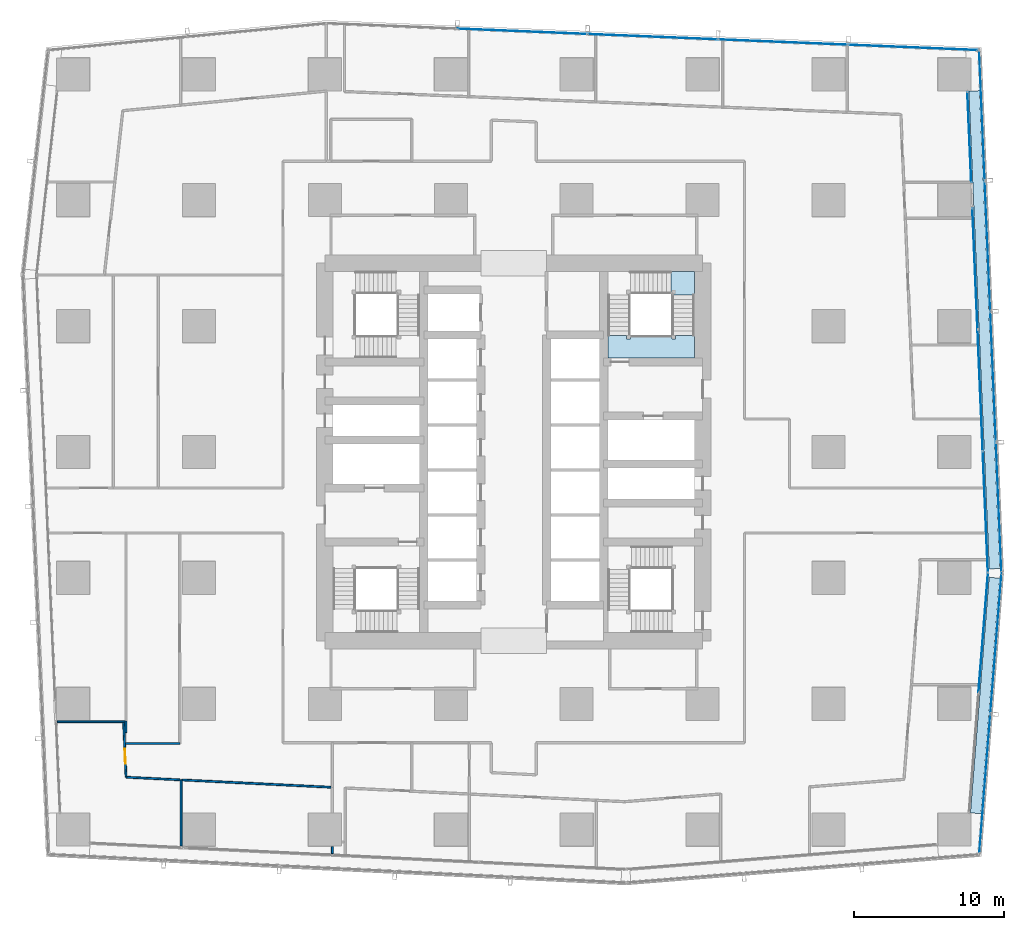
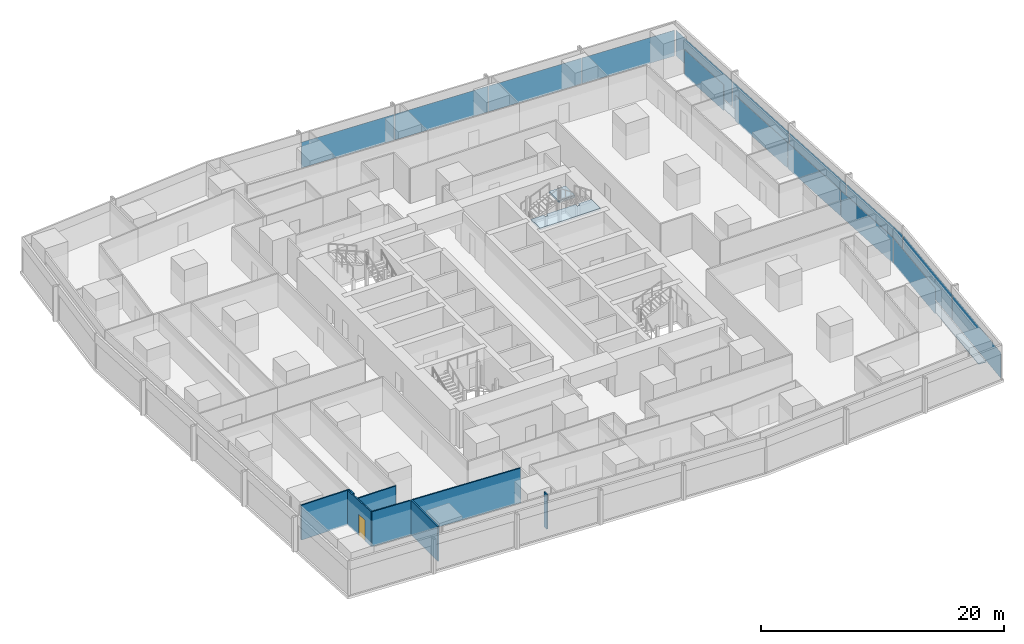
# One storey, part 31 of 45: 17 plates, 8 walls, 2 slabs, 1 door, 1 opening, 7 elements without a shape of their own.
"""IFC4 building model written with IfcOpenShell, lengths in metres."""

from ifc_helpers import new_model, si_unit, direction, frame, frame_2d, origin, origin_2d, place, context, subcontext, project, spatial, polyline, rectangle, outline, extrude, material, layer, layer_set, type_object, element, fill, aggregate, save


model = new_model("IFC4")

# Units and contexts
model_context = context("Model", 3, precision=1e-05, world=origin(), true_north=direction((0.0, 1.0)))
body_context = subcontext(model_context, "Body", "Model", "MODEL_VIEW")
ifc_project = project(units=[si_unit("LENGTHUNIT", "METRE"), si_unit("AREAUNIT", "SQUARE_METRE"), si_unit("VOLUMEUNIT", "CUBIC_METRE"), si_unit("PLANEANGLEUNIT", "RADIAN"), si_unit("MASSUNIT", "GRAM", prefix="KILO")], contexts=[model_context])

# Site, building, storey
site_placement = place(None, origin())
site = spatial("IfcSite", under=ifc_project, at=site_placement, CompositionType="ELEMENT")
building_placement = place(site_placement, origin())
building = spatial("IfcBuilding", under=site, at=building_placement, Name="Rekha Terrace Tower", CompositionType="ELEMENT")
storey_placement = place(building_placement, frame((0.0, 0.0, 32.89990234375)))
storey = spatial("IfcBuildingStorey", under=building, at=storey_placement, Name="L07", CompositionType="ELEMENT", Elevation=32.89990234375)

# Curtain wall, plate
ifc_material_1 = material(Name="Aluminium framing", Category="aluminium")
curtain_wall_type_1 = type_object("IfcCurtainWallType", Name="CW1 double skin inner glazing", PredefinedType="USERDEFINED", material=ifc_material_1)
curtain_wall_1_placement = place(storey_placement, origin())
curtain_wall_1 = element("IfcCurtainWall", 1, at=curtain_wall_1_placement, inside=storey, type_object=curtain_wall_type_1, Name="CW1 double skin inner glazing", ObjectType="DOUBLE SKIN INNER GLAZING", PredefinedType="USERDEFINED")
ifc_material_2 = material(Name="Double-glazed low-e unit 32", Category="glass")
ifc_layer_1 = layer(ifc_material_2, 0.031982421875)
ifc_layer_set_1 = layer_set([ifc_layer_1], Name="Double-glazed low-e unit 32")
plate_type_1 = type_object("IfcPlateType", Name="CW1 jumbo vision panel, double-glazed low-e unit 32", PredefinedType="CURTAIN_PANEL", material=ifc_layer_set_1)
plate_1_placement = place(storey_placement, frame((69.1220703125, 21.53759765625, 0.0), z_axis=(0.0, 0.0, 1.0), x_axis=(0.079116301, 0.996865392576, 0.0)))
plate_1 = element("IfcPlate", 2, at=plate_1_placement, type_object=plate_type_1, Name="CW1 panel 2.1", PredefinedType="CURTAIN_PANEL", context=body_context, shape_type="SweptSolid", body=[
    extrude(rectangle(XDim=7.988525390625, YDim=0.031982421875, at=origin_2d()), origin(), (0.0, 0.0, 1.0), 2.60009765625),
])
aggregate(curtain_wall_1, [plate_1])

# Curtain wall, plates
curtain_wall_2_placement = place(storey_placement, origin())
curtain_wall_2 = element("IfcCurtainWall", 3, at=curtain_wall_2_placement, inside=storey, type_object=curtain_wall_type_1, Name="CW1 double skin inner glazing", ObjectType="DOUBLE SKIN INNER GLAZING", PredefinedType="USERDEFINED")
plate_2_placement = place(storey_placement, frame((69.263671875, 29.60107421875, 0.0), z_axis=(0.0, 0.0, 1.0), x_axis=(-0.042696072921, 0.999088106904, 0.0)))
plate_2 = element("IfcPlate", 4, at=plate_2_placement, type_object=plate_type_1, Name="CW1 panel 1.1", PredefinedType="CURTAIN_PANEL", context=body_context, shape_type="SweptSolid", body=[
    extrude(rectangle(XDim=8.041015625, YDim=0.031982421875, at=origin_2d()), origin(), (0.0, 0.0, 1.0), 2.60009765625),
])
plate_3_placement = place(storey_placement, frame((68.9169921875, 37.7158203125, 0.0), z_axis=(0.0, 0.0, 1.0), x_axis=(-0.042696072921, 0.999088106904, 0.0)))
plate_3 = element("IfcPlate", 5, at=plate_3_placement, type_object=plate_type_1, Name="CW1 panel 2.1", PredefinedType="CURTAIN_PANEL", context=body_context, shape_type="SweptSolid", body=[
    extrude(rectangle(XDim=8.073486328125, YDim=0.031982421875, at=origin_2d()), origin(), (0.0, 0.0, 1.0), 2.60009765625),
])
plate_4_placement = place(storey_placement, frame((68.5703125, 45.83056640625, 0.0), z_axis=(0.0, 0.0, 1.0), x_axis=(-0.042696072921, 0.999088106904, 0.0)))
plate_4 = element("IfcPlate", 6, at=plate_4_placement, type_object=plate_type_1, Name="CW1 panel 3.1", PredefinedType="CURTAIN_PANEL", context=body_context, shape_type="SweptSolid", body=[
    extrude(rectangle(XDim=8.041015625, YDim=0.031982421875, at=origin_2d()), origin(), (0.0, 0.0, 1.0), 2.60009765625),
])
aggregate(curtain_wall_2, [plate_2, plate_3, plate_4])

# Curtain wall, plate
curtain_wall_3_placement = place(storey_placement, origin())
curtain_wall_3 = element("IfcCurtainWall", 7, at=curtain_wall_3_placement, inside=storey, type_object=curtain_wall_type_1, Name="CW1 double skin inner glazing", ObjectType="DOUBLE SKIN INNER GLAZING", PredefinedType="USERDEFINED")
plate_5_placement = place(storey_placement, frame((68.195556640625, 54.60009765625, 0.0), z_axis=(0.0, 0.0, 1.0), x_axis=(-0.042696073026, 0.9990881069, 0.0)))
plate_5 = element("IfcPlate", 8, at=plate_5_placement, type_object=plate_type_1, Name="CW1 panel 1.1", PredefinedType="CURTAIN_PANEL", context=body_context, shape_type="SweptSolid", body=[
    extrude(rectangle(XDim=6.027587890625, YDim=0.031982421875, at=origin_2d()), origin(), (0.0, 0.0, 1.0), 2.60009765625),
])
aggregate(curtain_wall_3, [plate_5])

# Curtain wall, plates
curtain_wall_type_2 = type_object("IfcCurtainWallType", Name="CW2 double skin outer glazing", PredefinedType="USERDEFINED", material=ifc_material_1)
curtain_wall_4_placement = place(storey_placement, origin())
curtain_wall_4 = element("IfcCurtainWall", 9, at=curtain_wall_4_placement, inside=storey, type_object=curtain_wall_type_2, Name="CW2 double skin outer glazing", ObjectType="DOUBLE SKIN OUTER GLAZING", PredefinedType="USERDEFINED")
ifc_material_3 = material(Name="Toughened single glazing 12", Category="glass")
ifc_layer_2 = layer(ifc_material_3, 0.011962890625)
ifc_layer_set_2 = layer_set([ifc_layer_2], Name="Toughened single glazing 12")
plate_type_2 = type_object("IfcPlateType", Name="CW2 jumbo vision panel, toughened single glazing 12", PredefinedType="CURTAIN_PANEL", material=ifc_layer_set_2)
plate_6_placement = place(storey_placement, frame((69.22509765625, 11.45703125, 0.0), z_axis=(0.0, 0.0, 1.0), x_axis=(0.079116301017, 0.996865392575, 0.0)))
plate_6 = element("IfcPlate", 10, at=plate_6_placement, type_object=plate_type_2, Name="CW2 panel 1.1", PredefinedType="CURTAIN_PANEL", context=body_context, shape_type="SweptSolid", body=[
    extrude(rectangle(XDim=9.28662109375, YDim=0.011962890625, at=origin_2d()), origin(), (0.0, 0.0, 1.0), 2.60009765625),
])
plate_7_placement = place(storey_placement, frame((69.96923828125, 20.834228515625, 0.0), z_axis=(0.0, 0.0, 1.0), x_axis=(0.079116301017, 0.996865392575, 0.0)))
plate_7 = element("IfcPlate", 11, at=plate_7_placement, type_object=plate_type_2, Name="CW2 panel 2.1", PredefinedType="CURTAIN_PANEL", context=body_context, shape_type="SweptSolid", body=[
    extrude(rectangle(XDim=9.36669921875, YDim=0.011962890625, at=origin_2d()), origin(), (0.0, 0.0, 1.0), 2.60009765625),
])
aggregate(curtain_wall_4, [plate_6, plate_7])

curtain_wall_5_placement = place(storey_placement, origin())
curtain_wall_5 = element("IfcCurtainWall", 12, at=curtain_wall_5_placement, inside=storey, type_object=curtain_wall_type_2, Name="CW2 double skin outer glazing", ObjectType="DOUBLE SKIN OUTER GLAZING", PredefinedType="USERDEFINED")
plate_8_placement = place(storey_placement, frame((70.152099609375, 29.890869140625, 0.0), z_axis=(0.0, 0.0, 1.0), x_axis=(-0.042696072956, 0.999088106903, 0.0)))
plate_8 = element("IfcPlate", 13, at=plate_8_placement, type_object=plate_type_2, Name="CW2 panel 1.1", PredefinedType="CURTAIN_PANEL", context=body_context, shape_type="SweptSolid", body=[
    extrude(rectangle(XDim=8.623779296875, YDim=0.011962890625, at=origin_2d()), origin(), (0.0, 0.0, 1.0), 2.60009765625),
])
plate_9_placement = place(storey_placement, frame((69.77978515625, 38.606689453125, 0.0), z_axis=(0.0, 0.0, 1.0), x_axis=(-0.042696072956, 0.999088106903, 0.0)))
plate_9 = element("IfcPlate", 14, at=plate_9_placement, type_object=plate_type_2, Name="CW2 panel 2.1", PredefinedType="CURTAIN_PANEL", context=body_context, shape_type="SweptSolid", body=[
    extrude(rectangle(XDim=8.663818359375, YDim=0.011962890625, at=origin_2d()), origin(), (0.0, 0.0, 1.0), 2.60009765625),
])
plate_10_placement = place(storey_placement, frame((69.406494140625, 47.342529296875, 0.0), z_axis=(0.0, 0.0, 1.0), x_axis=(-0.042696072956, 0.999088106903, 0.0)))
plate_10 = element("IfcPlate", 15, at=plate_10_placement, type_object=plate_type_2, Name="CW2 panel 3.1", PredefinedType="CURTAIN_PANEL", context=body_context, shape_type="SweptSolid", body=[
    extrude(rectangle(XDim=8.663818359375, YDim=0.011962890625, at=origin_2d()), origin(), (0.0, 0.0, 1.0), 2.60009765625),
])
plate_11_placement = place(storey_placement, frame((69.033935546875, 56.058349609375, 0.0), z_axis=(0.0, 0.0, 1.0), x_axis=(-0.042696072956, 0.999088106903, 0.0)))
plate_11 = element("IfcPlate", 16, at=plate_11_placement, type_object=plate_type_2, Name="CW2 panel 4.1", PredefinedType="CURTAIN_PANEL", context=body_context, shape_type="SweptSolid", body=[
    extrude(rectangle(XDim=8.623779296875, YDim=0.011962890625, at=origin_2d()), origin(), (0.0, 0.0, 1.0), 2.60009765625),
])
aggregate(curtain_wall_5, [plate_8, plate_9, plate_10, plate_11])

curtain_wall_type_3 = type_object("IfcCurtainWallType", Name="CW3 north unitised glazing", PredefinedType="USERDEFINED", material=ifc_material_1)
curtain_wall_6_placement = place(storey_placement, origin())
curtain_wall_6 = element("IfcCurtainWall", 17, at=curtain_wall_6_placement, inside=storey, type_object=curtain_wall_type_3, Name="CW3 unitised curtain wall", ObjectType="UNITISED CURTAIN WALL", PredefinedType="USERDEFINED")
ifc_material_4 = material(Name="Double-glazed unit 28", Category="glass")
ifc_layer_3 = layer(ifc_material_4, 0.028076171875)
ifc_layer_set_3 = layer_set([ifc_layer_3], Name="Double-glazed unit 28")
plate_type_3 = type_object("IfcPlateType", Name="CW3 jumbo vision panel, double-glazed unit 28", PredefinedType="CURTAIN_PANEL", material=ifc_layer_set_3)
plate_12_placement = place(storey_placement, frame((64.4423828125, 60.587646484375, 0.0), z_axis=(0.0, 0.0, 1.0), x_axis=(-0.999151997647, 0.041173846041, 0.0)))
plate_12 = element("IfcPlate", 18, at=plate_12_placement, type_object=plate_type_3, Name="CW3 panel 1.1", PredefinedType="CURTAIN_PANEL", context=body_context, shape_type="SweptSolid", body=[
    extrude(rectangle(XDim=8.598876953125, YDim=0.028076171875, at=origin_2d()), origin(), (0.0, 0.0, 1.0), 2.60009765625),
])
plate_13_placement = place(storey_placement, frame((55.76318359375, 60.9453125, 0.0), z_axis=(0.0, 0.0, 1.0), x_axis=(-0.999151997647, 0.041173846041, 0.0)))
plate_13 = element("IfcPlate", 19, at=plate_13_placement, type_object=plate_type_3, Name="CW3 panel 2.1", PredefinedType="CURTAIN_PANEL", context=body_context, shape_type="SweptSolid", body=[
    extrude(rectangle(XDim=8.6337890625, YDim=0.028076171875, at=origin_2d()), origin(), (0.0, 0.0, 1.0), 2.60009765625),
])
plate_14_placement = place(storey_placement, frame((47.066650390625, 61.3037109375, 0.0), z_axis=(0.0, 0.0, 1.0), x_axis=(-0.999151997647, 0.041173846041, 0.0)))
plate_14 = element("IfcPlate", 20, at=plate_14_placement, type_object=plate_type_3, Name="CW3 panel 3.1", PredefinedType="CURTAIN_PANEL", context=body_context, shape_type="SweptSolid", body=[
    extrude(rectangle(XDim=8.6337890625, YDim=0.028076171875, at=origin_2d()), origin(), (0.0, 0.0, 1.0), 2.60009765625),
])
plate_15_placement = place(storey_placement, frame((38.370361328125, 61.662109375, 0.0), z_axis=(0.0, 0.0, 1.0), x_axis=(-0.999151997647, 0.041173846041, 0.0)))
plate_15 = element("IfcPlate", 21, at=plate_15_placement, type_object=plate_type_3, Name="CW3 panel 4.1", PredefinedType="CURTAIN_PANEL", context=body_context, shape_type="SweptSolid", body=[
    extrude(rectangle(XDim=8.6337890625, YDim=0.028076171875, at=origin_2d()), origin(), (0.0, 0.0, 1.0), 2.60009765625),
])
aggregate(curtain_wall_6, [plate_12, plate_13, plate_14, plate_15])

# Plates
ifc_material_5 = material(Name="Galvanised steel open grating", Category="steel")
ifc_layer_4 = layer(ifc_material_5, 0.050048828125)
ifc_layer_set_4 = layer_set([ifc_layer_4], Name="Galvanised steel open grating")
plate_type_4 = type_object("IfcPlateType", Name="GT1 cavity walkway grating 50", PredefinedType="USERDEFINED", material=ifc_layer_set_4)
plate_16_placement = place(storey_placement, frame((69.241455078125, 17.353515625, 0.0), z_axis=(0.0, 0.0, 1.0), x_axis=(0.079116301, 0.996865392576, 0.0)))
element("IfcPlate", 22, at=plate_16_placement, inside=storey, type_object=plate_type_4, Name="Cavity walkway grating", ObjectType="CAVITY WALKWAY GRATING", PredefinedType="USERDEFINED", context=body_context, shape_type="SweptSolid", body=[
    extrude(rectangle(XDim=15.7666015625, YDim=0.705078125, at=origin_2d()), origin(), (0.0, 0.0, 1.0), 0.050048828125),
])
plate_17_placement = place(storey_placement, frame((69.195068359375, 41.75, 0.0), z_axis=(0.0, 0.0, 1.0), x_axis=(-0.042696072939, 0.999088106903, 0.0)))
element("IfcPlate", 23, at=plate_17_placement, inside=storey, type_object=plate_type_4, Name="Cavity walkway grating", ObjectType="CAVITY WALKWAY GRATING", PredefinedType="USERDEFINED", context=body_context, shape_type="SweptSolid", body=[
    extrude(rectangle(XDim=31.9072265625, YDim=0.705078125, at=origin_2d()), origin(), (0.0, 0.0, 1.0), 0.050048828125),
])

# Stair, slabs
ifc_material_6 = material(Name="Concrete M40", Category="concrete")
stair_type = type_object("IfcStairType", Name="ST30 stair, 30 risers of 125, going 300, 1500 wide flights, 3 flights", PredefinedType="HALF_TURN_STAIR", material=ifc_material_6)
stair_placement = place(storey_placement, origin())
stair = element("IfcStair", 24, at=stair_placement, inside=storey, type_object=stair_type, Name="Stair ST2 L07 to L08", PredefinedType="HALF_TURN_STAIR")
ifc_layer_5 = layer(ifc_material_6, 0.199951171875)
ifc_layer_set_5 = layer_set([ifc_layer_5], Name="Concrete M40")
slab_type = type_object("IfcSlabType", Name="LD1 200 concrete stair landing", PredefinedType="LANDING", material=ifc_layer_set_5)
slab_1_placement = place(storey_placement, frame((0.0, 0.0, 2.300048828125)))
slab_1 = element("IfcSlab", 25, at=slab_1_placement, type_object=slab_type, Name="ST2 landing 2", PredefinedType="LANDING", context=body_context, shape_type="SweptSolid", body=[
    extrude(outline(polyline([(48.35009765625, 44.074951171875), (49.85009765625, 44.074951171875), (49.85009765625, 45.64990234375), (48.27490234375, 45.64990234375), (48.27490234375, 44.14990234375), (48.35009765625, 44.14990234375), (48.35009765625, 44.074951171875)])), origin(), (0.0, 0.0, 1.0), 0.199951171875),
])
slab_2_placement = place(storey_placement, frame((0.0, 0.0, 3.550048828125)))
slab_2 = element("IfcSlab", 26, at=slab_2_placement, type_object=slab_type, Name="ST2 landing 3", PredefinedType="LANDING", context=body_context, shape_type="SweptSolid", body=[
    extrude(outline(polyline([(44.074951171875, 41.375), (44.074951171875, 39.875), (49.85009765625, 39.875), (49.85009765625, 41.375), (48.60009765625, 41.375), (48.60009765625, 41.125), (48.35009765625, 41.125), (48.35009765625, 41.375), (45.574951171875, 41.375), (45.574951171875, 41.125), (45.324951171875, 41.125), (45.324951171875, 41.375), (44.074951171875, 41.375)])), origin(), (0.0, 0.0, 1.0), 0.199951171875),
])
aggregate(stair, [slab_1, slab_2])

# Walls
ifc_material_7 = material(Name="Two layers of fire-rated gypsum board each side on steel studs, acoustic quilt, 1 hour", Category="steel")
ifc_layer_6 = layer(ifc_material_7, 0.125)
ifc_layer_set_6 = layer_set([ifc_layer_6], Name="Two layers of fire-rated gypsum board each side on steel studs, acoustic quilt, 1 hour")
wall_type = type_object("IfcWallType", Name="WP3 125 office partition", PredefinedType="PARTITIONING", material=ifc_layer_set_6)
wall_1_placement = place(storey_placement, frame((15.64306640625, 11.721923828125, 0.0), z_axis=(0.0, 0.0, 1.0), x_axis=(0.998800316201, -0.048968646667, 0.0)))
element("IfcWall", 27, at=wall_1_placement, inside=storey, type_object=wall_type, Name="Partition L07-07", PredefinedType="PARTITIONING", context=body_context, shape_type="SweptSolid", body=[
    extrude(rectangle(XDim=10.06591796875, YDim=0.125, at=frame_2d((5.032958984375, 0.0))), origin(), (0.0, 0.0, 1.0), 3.5),
])
wall_2_placement = place(storey_placement, frame((25.696044921875, 7.280029296875, 0.0), z_axis=(0.0, 0.0, 1.0), x_axis=(0.0, -1.0, 0.0)))
element("IfcWall", 28, at=wall_2_placement, inside=storey, type_object=wall_type, Name="Partition L07-07", PredefinedType="PARTITIONING", context=body_context, shape_type="SweptSolid", body=[
    extrude(rectangle(XDim=0.47705078125, YDim=0.125, at=frame_2d((0.238525390625, 0.0))), origin(), (0.0, 0.0, 1.0), 3.5),
])
wall_3_placement = place(storey_placement, frame((15.60791015625, 7.299072265625, 0.0), z_axis=(0.0, 0.0, 1.0), x_axis=(0.0, 1.0, 0.0)))
element("IfcWall", 29, at=wall_3_placement, inside=storey, type_object=wall_type, Name="Partition L07-07", PredefinedType="PARTITIONING", context=body_context, shape_type="SweptSolid", body=[
    extrude(rectangle(XDim=4.4228515625, YDim=0.125, at=frame_2d((2.21142578125, 0.0))), origin(), (0.0, 0.0, 1.0), 3.5),
])
wall_4_placement = place(storey_placement, frame((11.87109375, 15.60791015625, 0.0), z_axis=(0.0, 0.0, 1.0), x_axis=(-1.0, 0.0, 0.0)))
element("IfcWall", 30, at=wall_4_placement, inside=storey, type_object=wall_type, Name="Partition L07-22", PredefinedType="PARTITIONING", context=body_context, shape_type="SweptSolid", body=[
    extrude(rectangle(XDim=4.524169921875, YDim=0.125, at=frame_2d((2.26220703125, 0.0))), origin(), (0.0, 0.0, 1.0), 3.5),
])

# Wall, opening, door
wall_5_placement = place(storey_placement, frame((11.77392578125, 15.5458984375, 0.0), z_axis=(0.0, 0.0, 1.0), x_axis=(0.043934208205, -0.999034426509, 0.0)))
wall_5 = element("IfcWall", 31, at=wall_5_placement, inside=storey, type_object=wall_type, Name="Partition L07-23", PredefinedType="PARTITIONING", context=body_context, shape_type="SweptSolid", body=[
    extrude(rectangle(XDim=3.645263671875, YDim=0.125, at=frame_2d((1.82275390625, 0.0))), origin(), (0.0, 0.0, 1.0), 3.5),
])
opening_placement = place(wall_5_placement, frame((1.7490234375, 0.0, 0.0)))
opening = element("IfcOpeningElement", 32, at=opening_placement, cuts=wall_5, Name="Opening D9", PredefinedType="OPENING", context=body_context, shape_type="SweptSolid", body=[
    extrude(rectangle(XDim=1.0, YDim=2.10009765625, at=frame_2d((0.5, 1.050048828125))), frame((0.0, 0.072509765625, 0.0), z_axis=(0.0, -1.0, 0.0), x_axis=(1.0, 0.0, 0.0)), (0.0, 0.0, 1.0), 0.14501953125),
])
ifc_material_8 = material(Name="Timber fire door", Category="wood")
door_type = type_object("IfcDoorType", Name="D9 1000x2100 office door", OperationType="SINGLE_SWING_LEFT", PredefinedType="DOOR", material=ifc_material_8)
door_placement = place(opening_placement, origin())
door = element("IfcDoor", 33, at=door_placement, inside=storey, type_object=door_type, Name="Door manager's office L07", OperationType="SINGLE_SWING_LEFT", OverallHeight=2.10009765625, OverallWidth=1.0, PredefinedType="DOOR", context=body_context, shape_type="SweptSolid", body=[
    extrude(rectangle(XDim=1.0, YDim=2.10009765625, at=frame_2d((0.5, 1.050048828125))), frame((0.0, 0.02490234375, 0.0), z_axis=(0.0, -1.0, 0.0), x_axis=(1.0, 0.0, 0.0)), (0.0, 0.0, 1.0), 0.050048828125),
])
fill(opening, door)

# Walls
wall_6_placement = place(storey_placement, frame((11.93408203125, 11.904052734375, 0.0), z_axis=(0.0, 0.0, 1.0), x_axis=(0.998799983391, -0.048975434441, 0.0)))
element("IfcWall", 34, at=wall_6_placement, inside=storey, type_object=wall_type, Name="Partition L07-23", PredefinedType="PARTITIONING", context=body_context, shape_type="SweptSolid", body=[
    extrude(rectangle(XDim=3.59423828125, YDim=0.125, at=frame_2d((1.797119140625, 0.0))), origin(), (0.0, 0.0, 1.0), 3.5),
])
wall_7_placement = place(storey_placement, frame((15.52392578125, 14.14990234375, 0.0), z_axis=(0.0, 0.0, 1.0), x_axis=(-1.0, 0.0, 0.0)))
element("IfcWall", 35, at=wall_7_placement, inside=storey, type_object=wall_type, Name="Partition L07-24", PredefinedType="PARTITIONING", context=body_context, shape_type="SweptSolid", body=[
    extrude(rectangle(XDim=3.6259765625, YDim=0.125, at=frame_2d((1.81298828125, 0.0))), origin(), (0.0, 0.0, 1.0), 3.5),
])
wall_8_placement = place(storey_placement, frame((11.93408203125, 14.87109375, 0.0), z_axis=(0.0, 0.0, 1.0), x_axis=(0.0, 1.0, 0.0)))
element("IfcWall", 36, at=wall_8_placement, inside=storey, type_object=wall_type, Name="Partition L07-24", PredefinedType="PARTITIONING", context=body_context, shape_type="SweptSolid", body=[
    extrude(rectangle(XDim=0.77197265625, YDim=0.125, at=frame_2d((0.385986328125, 0.0))), origin(), (0.0, 0.0, 1.0), 3.5),
])

save(model, "model.ifc")
